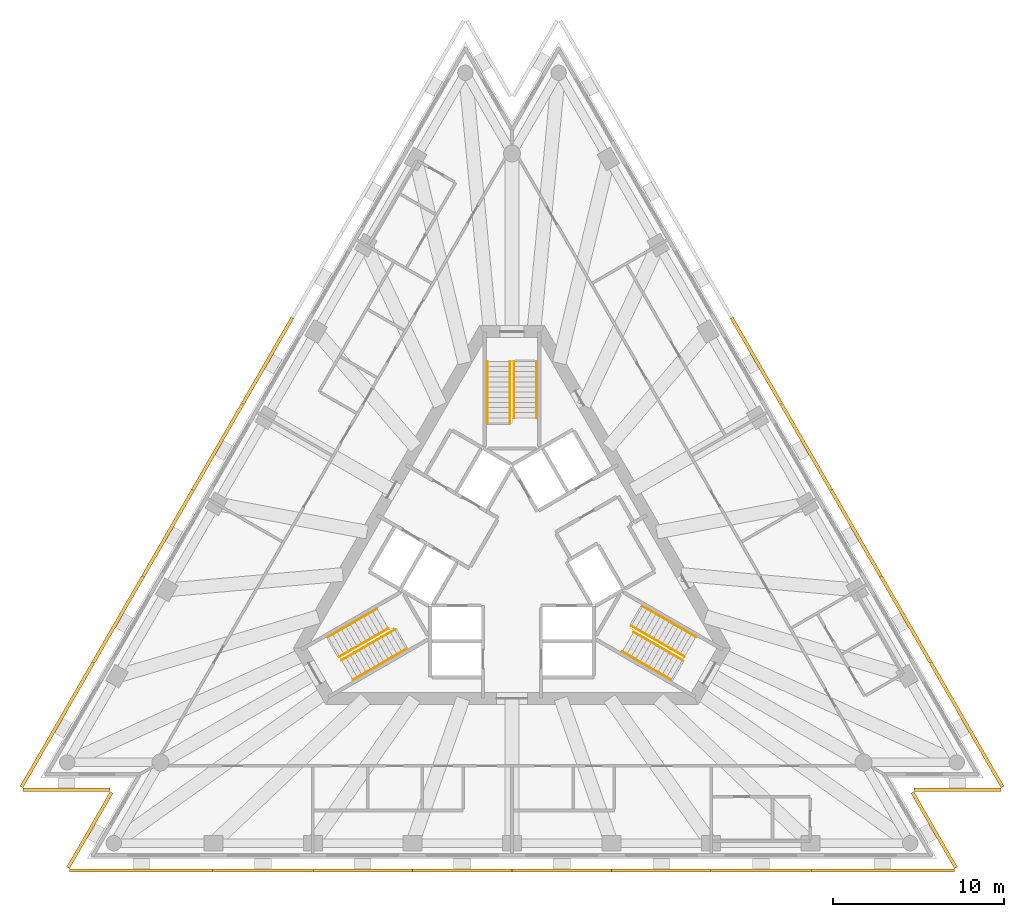
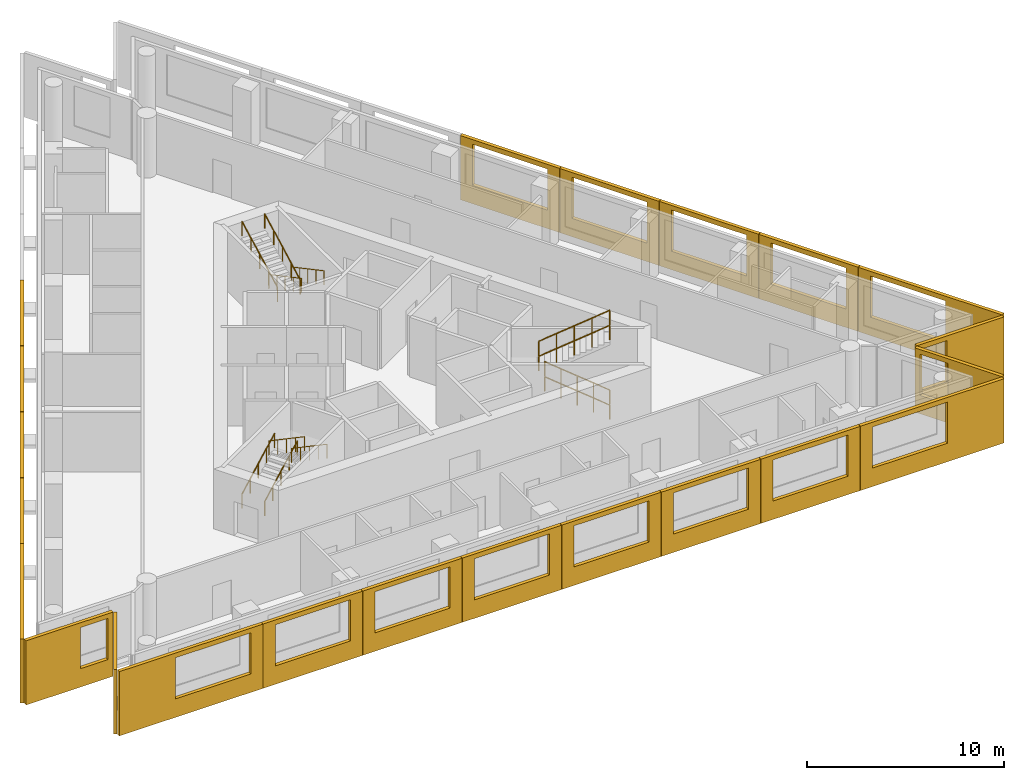
# One storey, part 9 of 10: 22 shading devices, 12 railings, 3 elements without a shape of their own.
"""IFC4 building model written with IfcOpenShell, lengths in metres."""

from ifc_helpers import new_model, si_unit, direction, frame, origin, origin_2d, place, context, subcontext, project, spatial, polyline, circle, outline, extrude, material, layer, layer_set, type_object, element, aggregate, save


model = new_model("IFC4")

# Units and contexts
model_context = context("Model", 3, precision=1e-05, world=origin(), true_north=direction((0.0, 1.0)))
body_context = subcontext(model_context, "Body", "Model", "MODEL_VIEW")
ifc_project = project(units=[si_unit("LENGTHUNIT", "METRE"), si_unit("AREAUNIT", "SQUARE_METRE"), si_unit("VOLUMEUNIT", "CUBIC_METRE"), si_unit("PLANEANGLEUNIT", "RADIAN"), si_unit("MASSUNIT", "GRAM", prefix="KILO")], contexts=[model_context])

# Site, building, storey
site_placement = place(None, origin())
site = spatial("IfcSite", under=ifc_project, at=site_placement, CompositionType="ELEMENT")
building_placement = place(site_placement, origin())
building = spatial("IfcBuilding", under=site, at=building_placement, Name="Triada Interchange Tower", CompositionType="ELEMENT")
storey_placement = place(building_placement, frame((0.0, 0.0, 243.300048828125)))
storey = spatial("IfcBuildingStorey", under=building, at=storey_placement, Name="L57", CompositionType="ELEMENT", Elevation=243.300048828125)

# Shading devices
ifc_material_1 = material(Name="Concrete C50/60 precast", Category="concrete")
ifc_layer_1 = layer(ifc_material_1, 0.02001953125, Name="Exposed aggregate face")
ifc_layer_2 = layer(ifc_material_1, 0.179931640625, Name="Precast concrete screen")
ifc_layer_set = layer_set([ifc_layer_1, ifc_layer_2], Name="Outer skin screen panel 3980")
shading_device_type = type_object("IfcShadingDeviceType", Name="Outer skin screen panel 3980", PredefinedType="SHUTTER", material=ifc_layer_set)
shading_device_1_placement = place(storey_placement, frame((-12.784912109375, 14.10498046875, -0.2900390625), z_axis=(0.0, 0.0, 1.0), x_axis=(-0.499956362902, -0.866050596209, 0.0)))
element("IfcShadingDevice", 1, at=shading_device_1_placement, inside=storey, type_object=shading_device_type, Name="Outer skin screen panel L57 04", PredefinedType="SHUTTER", context=body_context, shape_type="SweptSolid", body=[
    extrude(outline(polyline([(0.0, 0.0), (5.8125, 0.0), (5.8125, 3.97998046875), (0.0, 3.97998046875), (0.0, 0.0)]), holes=[polyline([(0.70654296875, 1.139892578125), (0.70654296875, 3.68994140625), (5.106689453125, 3.68994140625), (5.106689453125, 1.139892578125), (0.70654296875, 1.139892578125)])]), frame((0.0, 0.0, 0.0), z_axis=(0.0, -1.0, 0.0), x_axis=(1.0, 0.0, 0.0)), (0.0, 0.0, 1.0), 0.199951171875),
])
shading_device_2_placement = place(storey_placement, frame((-15.700927734375, 9.052978515625, -0.2900390625), z_axis=(0.0, 0.0, 1.0), x_axis=(-0.499956362902, -0.866050596209, 0.0)))
element("IfcShadingDevice", 2, at=shading_device_2_placement, inside=storey, type_object=shading_device_type, Name="Outer skin screen panel L57 05", PredefinedType="SHUTTER", context=body_context, shape_type="SweptSolid", body=[
    extrude(outline(polyline([(0.0, 0.0), (5.8125, 0.0), (5.8125, 3.97998046875), (0.0, 3.97998046875), (0.0, 0.0)]), holes=[polyline([(0.7060546875, 1.139892578125), (0.7060546875, 3.68994140625), (5.10595703125, 3.68994140625), (5.10595703125, 1.139892578125), (0.7060546875, 1.139892578125)])]), frame((0.0, 0.0, 0.0), z_axis=(0.0, -1.0, 0.0), x_axis=(1.0, 0.0, 0.0)), (0.0, 0.0, 1.0), 0.199951171875),
])
shading_device_3_placement = place(storey_placement, frame((-18.616943359375, 4.001953125, -0.2900390625), z_axis=(0.0, 0.0, 1.0), x_axis=(-0.500082362009, -0.865977846834, 0.0)))
element("IfcShadingDevice", 3, at=shading_device_3_placement, inside=storey, type_object=shading_device_type, Name="Outer skin screen panel L57 06", PredefinedType="SHUTTER", context=body_context, shape_type="SweptSolid", body=[
    extrude(outline(polyline([(0.0, 0.0), (5.81298828125, 0.0), (5.81298828125, 3.97998046875), (0.0, 3.97998046875), (0.0, 0.0)]), holes=[polyline([(0.706298828125, 1.139892578125), (0.706298828125, 3.68994140625), (5.106201171875, 3.68994140625), (5.106201171875, 1.139892578125), (0.706298828125, 1.139892578125)])]), frame((0.0, 0.0, 0.0), z_axis=(0.0, -1.0, 0.0), x_axis=(1.0, 0.0, 0.0)), (0.0, 0.0, 1.0), 0.199951171875),
])
shading_device_4_placement = place(storey_placement, frame((-21.533935546875, -1.049072265625, -0.2900390625), z_axis=(0.0, 0.0, 1.0), x_axis=(-0.499956362902, -0.866050596209, 0.0)))
element("IfcShadingDevice", 4, at=shading_device_4_placement, inside=storey, type_object=shading_device_type, Name="Outer skin screen panel L57 07", PredefinedType="SHUTTER", context=body_context, shape_type="SweptSolid", body=[
    extrude(outline(polyline([(0.0, 0.0), (5.8125, 0.0), (5.8125, 3.97998046875), (0.0, 3.97998046875), (0.0, 0.0)]), holes=[polyline([(0.706787109375, 1.139892578125), (0.706787109375, 3.68994140625), (5.106689453125, 3.68994140625), (5.106689453125, 1.139892578125), (0.706787109375, 1.139892578125)])]), frame((0.0, 0.0, 0.0), z_axis=(0.0, -1.0, 0.0), x_axis=(1.0, 0.0, 0.0)), (0.0, 0.0, 1.0), 0.199951171875),
])
shading_device_5_placement = place(storey_placement, frame((-24.449951171875, -6.10009765625, -0.2900390625), z_axis=(0.0, 0.0, 1.0), x_axis=(-0.499972889028, -0.866041055745, 0.0)))
element("IfcShadingDevice", 5, at=shading_device_5_placement, inside=storey, type_object=shading_device_type, Name="Outer skin screen panel L57 08", PredefinedType="SHUTTER", context=body_context, shape_type="SweptSolid", body=[
    extrude(outline(polyline([(0.0, 0.0), (8.41064453125, 0.0), (8.41064453125, 3.97998046875), (0.0, 3.97998046875), (0.0, 0.0)]), holes=[polyline([(0.7060546875, 1.139892578125), (0.7060546875, 3.68994140625), (5.106201171875, 3.68994140625), (5.106201171875, 1.139892578125), (0.7060546875, 1.139892578125)])]), frame((0.0, 0.0, 0.0), z_axis=(0.0, -1.0, 0.0), x_axis=(1.0, 0.0, 0.0)), (0.0, 0.0, 1.0), 0.199951171875),
])
shading_device_6_placement = place(storey_placement, frame((-28.64990234375, -13.39306640625, -0.2900390625), z_axis=(0.0, 0.0, 1.0), x_axis=(1.0, 0.0, 0.0)))
element("IfcShadingDevice", 6, at=shading_device_6_placement, inside=storey, type_object=shading_device_type, Name="Outer skin screen panel L57 09", PredefinedType="SHUTTER", context=body_context, shape_type="SweptSolid", body=[
    extrude(outline(polyline([(0.0, 0.0), (5.096923828125, 0.0), (5.096923828125, 3.97998046875), (0.0, 3.97998046875), (0.0, 0.0)]), holes=[polyline([(3.175048828125, 1.139892578125), (3.175048828125, 3.68994140625), (4.797119140625, 3.68994140625), (4.797119140625, 1.139892578125), (3.175048828125, 1.139892578125)])]), frame((0.0, 0.0, 0.0), z_axis=(0.0, -1.0, 0.0), x_axis=(1.0, 0.0, 0.0)), (0.0, 0.0, 1.0), 0.199951171875),
])
shading_device_7_placement = place(storey_placement, frame((-23.375, -13.701904296875, -0.2900390625), z_axis=(0.0, 0.0, 1.0), x_axis=(-0.500029339395, -0.866008464014, 0.0)))
element("IfcShadingDevice", 7, at=shading_device_7_placement, inside=storey, type_object=shading_device_type, Name="Outer skin screen panel L57 10", PredefinedType="SHUTTER", context=body_context, shape_type="SweptSolid", body=[
    extrude(outline(polyline([(0.0, 0.0), (5.095947265625, 0.0), (5.095947265625, 3.97998046875), (0.0, 3.97998046875), (0.0, 0.0)]), holes=[polyline([(0.300048828125, 1.139892578125), (0.300048828125, 3.68994140625), (1.7578125, 3.68994140625), (1.7578125, 1.139892578125), (0.300048828125, 1.139892578125)])]), frame((0.0, 0.0, 0.0), z_axis=(0.0, -1.0, 0.0), x_axis=(1.0, 0.0, 0.0)), (0.0, 0.0, 1.0), 0.199951171875),
])
shading_device_8_placement = place(storey_placement, frame((-25.91796875, -18.1240234375, -0.2900390625), z_axis=(0.0, 0.0, 1.0), x_axis=(1.0, 0.0, 0.0)))
element("IfcShadingDevice", 8, at=shading_device_8_placement, inside=storey, type_object=shading_device_type, Name="Outer skin screen panel L57 11", PredefinedType="SHUTTER", context=body_context, shape_type="SweptSolid", body=[
    extrude(outline(polyline([(0.0, 0.0), (8.409912109375, 0.0), (8.409912109375, 3.97998046875), (0.0, 3.97998046875), (0.0, 0.0)]), holes=[polyline([(3.303955078125, 1.139892578125), (3.303955078125, 3.68994140625), (7.7041015625, 3.68994140625), (7.7041015625, 1.139892578125), (3.303955078125, 1.139892578125)])]), frame((0.0, 0.0, 0.0), z_axis=(0.0, -1.0, 0.0), x_axis=(1.0, 0.0, 0.0)), (0.0, 0.0, 1.0), 0.199951171875),
])
shading_device_9_placement = place(storey_placement, frame((-17.487060546875, -18.1240234375, -0.2900390625), z_axis=(0.0, 0.0, 1.0), x_axis=(1.0, 0.0, 0.0)))
element("IfcShadingDevice", 9, at=shading_device_9_placement, inside=storey, type_object=shading_device_type, Name="Outer skin screen panel L57 12", PredefinedType="SHUTTER", context=body_context, shape_type="SweptSolid", body=[
    extrude(outline(polyline([(0.0, 0.0), (5.81201171875, 0.0), (5.81201171875, 3.97998046875), (0.0, 3.97998046875), (0.0, 0.0)]), holes=[polyline([(0.70654296875, 1.139892578125), (0.70654296875, 3.68994140625), (5.1064453125, 3.68994140625), (5.1064453125, 1.139892578125), (0.70654296875, 1.139892578125)])]), frame((0.0, 0.0, 0.0), z_axis=(0.0, -1.0, 0.0), x_axis=(1.0, 0.0, 0.0)), (0.0, 0.0, 1.0), 0.199951171875),
])
shading_device_10_placement = place(storey_placement, frame((-11.655029296875, -18.1240234375, -0.2900390625), z_axis=(0.0, 0.0, 1.0), x_axis=(1.0, 0.0, 0.0)))
element("IfcShadingDevice", 10, at=shading_device_10_placement, inside=storey, type_object=shading_device_type, Name="Outer skin screen panel L57 13", PredefinedType="SHUTTER", context=body_context, shape_type="SweptSolid", body=[
    extrude(outline(polyline([(0.0, 0.0), (5.81201171875, 0.0), (5.81201171875, 3.97998046875), (0.0, 3.97998046875), (0.0, 0.0)]), holes=[polyline([(0.7060546875, 1.139892578125), (0.7060546875, 3.68994140625), (5.10595703125, 3.68994140625), (5.10595703125, 1.139892578125), (0.7060546875, 1.139892578125)])]), frame((0.0, 0.0, 0.0), z_axis=(0.0, -1.0, 0.0), x_axis=(1.0, 0.0, 0.0)), (0.0, 0.0, 1.0), 0.199951171875),
])
shading_device_11_placement = place(storey_placement, frame((-5.822021484375, -18.1240234375, -0.2900390625), z_axis=(0.0, 0.0, 1.0), x_axis=(1.0, 0.0, 0.0)))
element("IfcShadingDevice", 11, at=shading_device_11_placement, inside=storey, type_object=shading_device_type, Name="Outer skin screen panel L57 14", PredefinedType="SHUTTER", context=body_context, shape_type="SweptSolid", body=[
    extrude(outline(polyline([(0.0, 0.0), (5.81201171875, 0.0), (5.81201171875, 3.97998046875), (0.0, 3.97998046875), (0.0, 0.0)]), holes=[polyline([(0.70654296875, 1.139892578125), (0.70654296875, 3.68994140625), (5.1064453125, 3.68994140625), (5.1064453125, 1.139892578125), (0.70654296875, 1.139892578125)])]), frame((0.0, 0.0, 0.0), z_axis=(0.0, -1.0, 0.0), x_axis=(1.0, 0.0, 0.0)), (0.0, 0.0, 1.0), 0.199951171875),
])
shading_device_12_placement = place(storey_placement, frame((0.010009765625, -18.1240234375, -0.2900390625), z_axis=(0.0, 0.0, 1.0), x_axis=(1.0, 0.0, 0.0)))
element("IfcShadingDevice", 12, at=shading_device_12_placement, inside=storey, type_object=shading_device_type, Name="Outer skin screen panel L57 15", PredefinedType="SHUTTER", context=body_context, shape_type="SweptSolid", body=[
    extrude(outline(polyline([(0.0, 0.0), (5.81201171875, 0.0), (5.81201171875, 3.97998046875), (0.0, 3.97998046875), (0.0, 0.0)]), holes=[polyline([(0.7060546875, 1.139892578125), (0.7060546875, 3.68994140625), (5.10595703125, 3.68994140625), (5.10595703125, 1.139892578125), (0.7060546875, 1.139892578125)])]), frame((0.0, 0.0, 0.0), z_axis=(0.0, -1.0, 0.0), x_axis=(1.0, 0.0, 0.0)), (0.0, 0.0, 1.0), 0.199951171875),
])
shading_device_13_placement = place(storey_placement, frame((5.843017578125, -18.1240234375, -0.2900390625), z_axis=(0.0, 0.0, 1.0), x_axis=(1.0, 0.0, 0.0)))
element("IfcShadingDevice", 13, at=shading_device_13_placement, inside=storey, type_object=shading_device_type, Name="Outer skin screen panel L57 16", PredefinedType="SHUTTER", context=body_context, shape_type="SweptSolid", body=[
    extrude(outline(polyline([(0.0, 0.0), (5.81201171875, 0.0), (5.81201171875, 3.97998046875), (0.0, 3.97998046875), (0.0, 0.0)]), holes=[polyline([(0.70654296875, 1.139892578125), (0.70654296875, 3.68994140625), (5.1064453125, 3.68994140625), (5.1064453125, 1.139892578125), (0.70654296875, 1.139892578125)])]), frame((0.0, 0.0, 0.0), z_axis=(0.0, -1.0, 0.0), x_axis=(1.0, 0.0, 0.0)), (0.0, 0.0, 1.0), 0.199951171875),
])
shading_device_14_placement = place(storey_placement, frame((11.675048828125, -18.1240234375, -0.2900390625), z_axis=(0.0, 0.0, 1.0), x_axis=(1.0, 0.0, 0.0)))
element("IfcShadingDevice", 14, at=shading_device_14_placement, inside=storey, type_object=shading_device_type, Name="Outer skin screen panel L57 17", PredefinedType="SHUTTER", context=body_context, shape_type="SweptSolid", body=[
    extrude(outline(polyline([(0.0, 0.0), (5.81298828125, 0.0), (5.81298828125, 3.97998046875), (0.0, 3.97998046875), (0.0, 0.0)]), holes=[polyline([(0.7060546875, 1.139892578125), (0.7060546875, 3.68994140625), (5.10595703125, 3.68994140625), (5.10595703125, 1.139892578125), (0.7060546875, 1.139892578125)])]), frame((0.0, 0.0, 0.0), z_axis=(0.0, -1.0, 0.0), x_axis=(1.0, 0.0, 0.0)), (0.0, 0.0, 1.0), 0.199951171875),
])
shading_device_15_placement = place(storey_placement, frame((17.507080078125, -18.1240234375, -0.2900390625), z_axis=(0.0, 0.0, 1.0), x_axis=(1.0, 0.0, 0.0)))
element("IfcShadingDevice", 15, at=shading_device_15_placement, inside=storey, type_object=shading_device_type, Name="Outer skin screen panel L57 18", PredefinedType="SHUTTER", context=body_context, shape_type="SweptSolid", body=[
    extrude(outline(polyline([(0.0, 0.0), (8.410888671875, 0.0), (8.410888671875, 3.97998046875), (0.0, 3.97998046875), (0.0, 0.0)]), holes=[polyline([(0.70654296875, 1.139892578125), (0.70654296875, 3.68994140625), (5.1064453125, 3.68994140625), (5.1064453125, 1.139892578125), (0.70654296875, 1.139892578125)])]), frame((0.0, 0.0, 0.0), z_axis=(0.0, -1.0, 0.0), x_axis=(1.0, 0.0, 0.0)), (0.0, 0.0, 1.0), 0.199951171875),
])
shading_device_16_placement = place(storey_placement, frame((25.923095703125, -18.114990234375, -0.2900390625), z_axis=(0.0, 0.0, 1.0), x_axis=(-0.500029339395, 0.866008464014, 0.0)))
element("IfcShadingDevice", 16, at=shading_device_16_placement, inside=storey, type_object=shading_device_type, Name="Outer skin screen panel L57 19", PredefinedType="SHUTTER", context=body_context, shape_type="SweptSolid", body=[
    extrude(outline(polyline([(0.0, 0.0), (5.095947265625, 0.0), (5.095947265625, 3.97998046875), (0.0, 3.97998046875), (0.0, 0.0)]), holes=[polyline([(3.17529296875, 1.139892578125), (3.17529296875, 3.68994140625), (4.79638671875, 3.68994140625), (4.79638671875, 1.139892578125), (3.17529296875, 1.139892578125)])]), frame((0.0, 0.0, 0.0), z_axis=(0.0, -1.0, 0.0), x_axis=(1.0, 0.0, 0.0)), (0.0, 0.0, 1.0), 0.199951171875),
])
shading_device_17_placement = place(storey_placement, frame((23.552978515625, -13.39306640625, -0.2900390625), z_axis=(0.0, 0.0, 1.0), x_axis=(1.0, 0.0, 0.0)))
element("IfcShadingDevice", 17, at=shading_device_17_placement, inside=storey, type_object=shading_device_type, Name="Outer skin screen panel L57 20", PredefinedType="SHUTTER", context=body_context, shape_type="SweptSolid", body=[
    extrude(outline(polyline([(0.0, 0.0), (5.096923828125, 0.0), (5.096923828125, 3.97998046875), (0.0, 3.97998046875), (0.0, 0.0)]), holes=[polyline([(0.300048828125, 1.139892578125), (0.300048828125, 3.68994140625), (1.758056640625, 3.68994140625), (1.758056640625, 1.139892578125), (0.300048828125, 1.139892578125)])]), frame((0.0, 0.0, 0.0), z_axis=(0.0, -1.0, 0.0), x_axis=(1.0, 0.0, 0.0)), (0.0, 0.0, 1.0), 0.199951171875),
])
shading_device_18_placement = place(storey_placement, frame((28.655029296875, -13.384033203125, -0.2900390625), z_axis=(0.0, 0.0, 1.0), x_axis=(-0.499972889028, 0.866041055745, 0.0)))
element("IfcShadingDevice", 18, at=shading_device_18_placement, inside=storey, type_object=shading_device_type, Name="Outer skin screen panel L57 21", PredefinedType="SHUTTER", context=body_context, shape_type="SweptSolid", body=[
    extrude(outline(polyline([(0.0, 0.0), (8.41064453125, 0.0), (8.41064453125, 3.97998046875), (0.0, 3.97998046875), (0.0, 0.0)]), holes=[polyline([(3.30419921875, 1.139892578125), (3.30419921875, 3.68994140625), (7.704345703125, 3.68994140625), (7.704345703125, 1.139892578125), (3.30419921875, 1.139892578125)])]), frame((0.0, 0.0, 0.0), z_axis=(0.0, -1.0, 0.0), x_axis=(1.0, 0.0, 0.0)), (0.0, 0.0, 1.0), 0.199951171875),
])
shading_device_19_placement = place(storey_placement, frame((24.43994140625, -6.0830078125, -0.2900390625), z_axis=(0.0, 0.0, 1.0), x_axis=(-0.499956362902, 0.866050596209, 0.0)))
element("IfcShadingDevice", 19, at=shading_device_19_placement, inside=storey, type_object=shading_device_type, Name="Outer skin screen panel L57 22", PredefinedType="SHUTTER", context=body_context, shape_type="SweptSolid", body=[
    extrude(outline(polyline([(0.0, 0.0), (5.8125, 0.0), (5.8125, 3.97998046875), (0.0, 3.97998046875), (0.0, 0.0)]), holes=[polyline([(0.70654296875, 1.139892578125), (0.70654296875, 3.68994140625), (5.106689453125, 3.68994140625), (5.106689453125, 1.139892578125), (0.70654296875, 1.139892578125)])]), frame((0.0, 0.0, 0.0), z_axis=(0.0, -1.0, 0.0), x_axis=(1.0, 0.0, 0.0)), (0.0, 0.0, 1.0), 0.199951171875),
])
shading_device_20_placement = place(storey_placement, frame((21.52392578125, -1.031982421875, -0.2900390625), z_axis=(0.0, 0.0, 1.0), x_axis=(-0.500082362009, 0.865977846834, 0.0)))
element("IfcShadingDevice", 20, at=shading_device_20_placement, inside=storey, type_object=shading_device_type, Name="Outer skin screen panel L57 23", PredefinedType="SHUTTER", context=body_context, shape_type="SweptSolid", body=[
    extrude(outline(polyline([(0.0, 0.0), (5.81298828125, 0.0), (5.81298828125, 3.97998046875), (0.0, 3.97998046875), (0.0, 0.0)]), holes=[polyline([(0.7060546875, 1.139892578125), (0.7060546875, 3.68994140625), (5.10595703125, 3.68994140625), (5.10595703125, 1.139892578125), (0.7060546875, 1.139892578125)])]), frame((0.0, 0.0, 0.0), z_axis=(0.0, -1.0, 0.0), x_axis=(1.0, 0.0, 0.0)), (0.0, 0.0, 1.0), 0.199951171875),
])
shading_device_21_placement = place(storey_placement, frame((18.60693359375, 4.01904296875, -0.2900390625), z_axis=(0.0, 0.0, 1.0), x_axis=(-0.499956362902, 0.866050596209, 0.0)))
element("IfcShadingDevice", 21, at=shading_device_21_placement, inside=storey, type_object=shading_device_type, Name="Outer skin screen panel L57 24", PredefinedType="SHUTTER", context=body_context, shape_type="SweptSolid", body=[
    extrude(outline(polyline([(0.0, 0.0), (5.8125, 0.0), (5.8125, 3.97998046875), (0.0, 3.97998046875), (0.0, 0.0)]), holes=[polyline([(0.706298828125, 1.139892578125), (0.706298828125, 3.68994140625), (5.106201171875, 3.68994140625), (5.106201171875, 1.139892578125), (0.706298828125, 1.139892578125)])]), frame((0.0, 0.0, 0.0), z_axis=(0.0, -1.0, 0.0), x_axis=(1.0, 0.0, 0.0)), (0.0, 0.0, 1.0), 0.199951171875),
])
shading_device_22_placement = place(storey_placement, frame((15.69091796875, 9.071044921875, -0.2900390625), z_axis=(0.0, 0.0, 1.0), x_axis=(-0.499956362902, 0.866050596209, 0.0)))
element("IfcShadingDevice", 22, at=shading_device_22_placement, inside=storey, type_object=shading_device_type, Name="Outer skin screen panel L57 25", PredefinedType="SHUTTER", context=body_context, shape_type="SweptSolid", body=[
    extrude(outline(polyline([(0.0, 0.0), (5.8125, 0.0), (5.8125, 3.97998046875), (0.0, 3.97998046875), (0.0, 0.0)]), holes=[polyline([(0.706787109375, 1.139892578125), (0.706787109375, 3.68994140625), (5.106689453125, 3.68994140625), (5.106689453125, 1.139892578125), (0.706787109375, 1.139892578125)])]), frame((0.0, 0.0, 0.0), z_axis=(0.0, -1.0, 0.0), x_axis=(1.0, 0.0, 0.0)), (0.0, 0.0, 1.0), 0.199951171875),
])

# Stair, railings
ifc_material_2 = material(Name="Concrete C35/45", Category="concrete")
stair_type = type_object("IfcStairType", Name="HALF TURN STAIR 1400", PredefinedType="HALF_TURN_STAIR", material=ifc_material_2)
stair_1_placement = place(storey_placement, origin())
stair_1 = element("IfcStair", 23, at=stair_1_placement, inside=storey, type_object=stair_type, Name="Exit stair S56-1", PredefinedType="HALF_TURN_STAIR")
ifc_material_3 = material(Name="Stainless steel 1.4301", Category="steel")
railing_type = type_object("IfcRailingType", Name="STAIR HANDRAIL 900", PredefinedType="HANDRAIL", material=ifc_material_3)
railing_1_placement = place(storey_placement, frame((1.449951171875, 11.60009765625, 0.159912109375)))
railing_1 = element("IfcRailing", 24, at=railing_1_placement, type_object=railing_type, Name="Handrail S56-1 1W", PredefinedType="HANDRAIL", context=body_context, shape_type="SweptSolid", body=[
    extrude(circle(Radius=0.02392578125, at=origin_2d()), frame((0.0, 0.0, 0.8759765625), z_axis=(0.0, -0.882354748157, 0.47058484719), x_axis=(1.0, 0.0, 0.0)), (0.0, 0.0, 1.0), 3.739990234375),
    extrude(circle(Radius=0.02099609375, at=origin_2d()), origin(), (0.0, 0.0, 1.0), 0.851806640625),
    extrude(circle(Radius=0.02099609375, at=origin_2d()), frame((0.0, -0.824951171875, 0.43994140625)), (0.0, 0.0, 1.0), 0.851806640625),
    extrude(circle(Radius=0.02099609375, at=origin_2d()), frame((0.0, -1.64990234375, 0.8798828125)), (0.0, 0.0, 1.0), 0.851806640625),
    extrude(circle(Radius=0.02099609375, at=origin_2d()), frame((0.0, -2.47509765625, 1.320068359375)), (0.0, 0.0, 1.0), 0.851806640625),
    extrude(circle(Radius=0.02099609375, at=origin_2d()), frame((0.0, -3.300048828125, 1.760009765625)), (0.0, 0.0, 1.0), 0.851806640625),
])
railing_2_placement = place(storey_placement, frame((0.1201171875, 11.60009765625, 0.159912109375)))
railing_2 = element("IfcRailing", 25, at=railing_2_placement, type_object=railing_type, Name="Handrail S56-1 1C", PredefinedType="HANDRAIL", context=body_context, shape_type="SweptSolid", body=[
    extrude(circle(Radius=0.02392578125, at=origin_2d()), frame((0.0, 0.0, 0.8759765625), z_axis=(0.0, -0.882354748157, 0.47058484719), x_axis=(1.0, 0.0, 0.0)), (0.0, 0.0, 1.0), 3.739990234375),
    extrude(circle(Radius=0.02099609375, at=origin_2d()), origin(), (0.0, 0.0, 1.0), 0.851806640625),
    extrude(circle(Radius=0.02099609375, at=origin_2d()), frame((0.0, -0.824951171875, 0.43994140625)), (0.0, 0.0, 1.0), 0.851806640625),
    extrude(circle(Radius=0.02099609375, at=origin_2d()), frame((0.0, -1.64990234375, 0.8798828125)), (0.0, 0.0, 1.0), 0.851806640625),
    extrude(circle(Radius=0.02099609375, at=origin_2d()), frame((0.0, -2.47509765625, 1.320068359375)), (0.0, 0.0, 1.0), 0.851806640625),
    extrude(circle(Radius=0.02099609375, at=origin_2d()), frame((0.0, -3.300048828125, 1.760009765625)), (0.0, 0.0, 1.0), 0.851806640625),
])
railing_3_placement = place(storey_placement, frame((-1.449951171875, 8.0, 2.079833984375)))
railing_3 = element("IfcRailing", 26, at=railing_3_placement, type_object=railing_type, Name="Handrail S56-1 2W", PredefinedType="HANDRAIL", context=body_context, shape_type="SweptSolid", body=[
    extrude(circle(Radius=0.02392578125, at=origin_2d()), frame((0.0, 0.0, 0.8759765625), z_axis=(0.0, 0.882341346394, 0.470609974867), x_axis=(-1.0, 0.0, 0.0)), (0.0, 0.0, 1.0), 4.080078125),
    extrude(circle(Radius=0.02099609375, at=origin_2d()), origin(), (0.0, 0.0, 1.0), 0.851806640625),
    extrude(circle(Radius=0.02099609375, at=origin_2d()), frame((0.0, 0.89990234375, 0.47998046875)), (0.0, 0.0, 1.0), 0.851806640625),
    extrude(circle(Radius=0.02099609375, at=origin_2d()), frame((0.0, 1.800048828125, 0.9599609375)), (0.0, 0.0, 1.0), 0.851806640625),
    extrude(circle(Radius=0.02099609375, at=origin_2d()), frame((0.0, 2.7001953125, 1.440185546875)), (0.0, 0.0, 1.0), 0.851806640625),
    extrude(circle(Radius=0.02099609375, at=origin_2d()), frame((0.0, 3.60009765625, 1.920166015625)), (0.0, 0.0, 1.0), 0.851806640625),
])
railing_4_placement = place(storey_placement, frame((-0.1201171875, 8.0, 2.079833984375)))
railing_4 = element("IfcRailing", 27, at=railing_4_placement, type_object=railing_type, Name="Handrail S56-1 2C", PredefinedType="HANDRAIL", context=body_context, shape_type="SweptSolid", body=[
    extrude(circle(Radius=0.02392578125, at=origin_2d()), frame((0.0, 0.0, 0.8759765625), z_axis=(0.0, 0.882341346394, 0.470609974867), x_axis=(-1.0, 0.0, 0.0)), (0.0, 0.0, 1.0), 4.080078125),
    extrude(circle(Radius=0.02099609375, at=origin_2d()), origin(), (0.0, 0.0, 1.0), 0.851806640625),
    extrude(circle(Radius=0.02099609375, at=origin_2d()), frame((0.0, 0.89990234375, 0.47998046875)), (0.0, 0.0, 1.0), 0.851806640625),
    extrude(circle(Radius=0.02099609375, at=origin_2d()), frame((0.0, 1.800048828125, 0.9599609375)), (0.0, 0.0, 1.0), 0.851806640625),
    extrude(circle(Radius=0.02099609375, at=origin_2d()), frame((0.0, 2.7001953125, 1.440185546875)), (0.0, 0.0, 1.0), 0.851806640625),
    extrude(circle(Radius=0.02099609375, at=origin_2d()), frame((0.0, 3.60009765625, 1.920166015625)), (0.0, 0.0, 1.0), 0.851806640625),
])
aggregate(stair_1, [railing_1, railing_2, railing_3, railing_4])

stair_2_placement = place(storey_placement, origin())
stair_2 = element("IfcStair", 28, at=stair_2_placement, inside=storey, type_object=stair_type, Name="Exit stair S56-2", PredefinedType="HALF_TURN_STAIR")
railing_5_placement = place(storey_placement, frame((-10.77099609375, -4.5439453125, 0.159912109375)))
railing_5 = element("IfcRailing", 29, at=railing_5_placement, type_object=railing_type, Name="Handrail S56-2 1W", PredefinedType="HANDRAIL", context=body_context, shape_type="SweptSolid", body=[
    extrude(circle(Radius=0.02392578125, at=origin_2d()), frame((0.0, 0.0, 0.8759765625), z_axis=(0.764150854273, 0.441152526326, 0.470593158077), x_axis=(-0.499974350878, 0.866040211805, 0.0)), (0.0, 0.0, 1.0), 3.739990234375),
    extrude(circle(Radius=0.02099609375, at=origin_2d()), origin(), (0.0, 0.0, 1.0), 0.851806640625),
    extrude(circle(Radius=0.02099609375, at=origin_2d()), frame((0.71435546875, 0.41259765625, 0.43994140625)), (0.0, 0.0, 1.0), 0.851806640625),
    extrude(circle(Radius=0.02099609375, at=origin_2d()), frame((1.428955078125, 0.824951171875, 0.8798828125)), (0.0, 0.0, 1.0), 0.851806640625),
    extrude(circle(Radius=0.02099609375, at=origin_2d()), frame((2.1435546875, 1.2373046875, 1.320068359375)), (0.0, 0.0, 1.0), 0.851806640625),
    extrude(circle(Radius=0.02099609375, at=origin_2d()), frame((2.85791015625, 1.64990234375, 1.760009765625)), (0.0, 0.0, 1.0), 0.851806640625),
])
railing_6_placement = place(storey_placement, frame((-10.10595703125, -5.696044921875, 0.159912109375)))
railing_6 = element("IfcRailing", 30, at=railing_6_placement, type_object=railing_type, Name="Handrail S56-2 1C", PredefinedType="HANDRAIL", context=body_context, shape_type="SweptSolid", body=[
    extrude(circle(Radius=0.02392578125, at=origin_2d()), frame((0.0, 0.0, 0.8759765625), z_axis=(0.76412884773, 0.441205098395, 0.470579605611), x_axis=(-0.50002983664, 0.866008176907, 0.0)), (0.0, 0.0, 1.0), 3.739990234375),
    extrude(circle(Radius=0.02099609375, at=origin_2d()), origin(), (0.0, 0.0, 1.0), 0.851806640625),
    extrude(circle(Radius=0.02099609375, at=origin_2d()), frame((0.71435546875, 0.41259765625, 0.43994140625)), (0.0, 0.0, 1.0), 0.851806640625),
    extrude(circle(Radius=0.02099609375, at=origin_2d()), frame((1.428955078125, 0.8251953125, 0.8798828125)), (0.0, 0.0, 1.0), 0.851806640625),
    extrude(circle(Radius=0.02099609375, at=origin_2d()), frame((2.1435546875, 1.237548828125, 1.320068359375)), (0.0, 0.0, 1.0), 0.851806640625),
    extrude(circle(Radius=0.02099609375, at=origin_2d()), frame((2.85791015625, 1.650146484375, 1.760009765625)), (0.0, 0.0, 1.0), 0.851806640625),
])
railing_7_placement = place(storey_placement, frame((-6.202880859375, -5.256103515625, 2.079833984375)))
railing_7 = element("IfcRailing", 31, at=railing_7_placement, type_object=railing_type, Name="Handrail S56-2 2W", PredefinedType="HANDRAIL", context=body_context, shape_type="SweptSolid", body=[
    extrude(circle(Radius=0.02392578125, at=origin_2d()), frame((0.0, 0.0, 0.8759765625), z_axis=(-0.764189758314, -0.441090424232, 0.470588196769), x_axis=(0.499902469156, -0.866081705922, 0.0)), (0.0, 0.0, 1.0), 4.080322265625),
    extrude(circle(Radius=0.02099609375, at=origin_2d()), origin(), (0.0, 0.0, 1.0), 0.851806640625),
    extrude(circle(Radius=0.02099609375, at=origin_2d()), frame((-0.779541015625, -0.449951171875, 0.47998046875)), (0.0, 0.0, 1.0), 0.851806640625),
    extrude(circle(Radius=0.02099609375, at=origin_2d()), frame((-1.55908203125, -0.89990234375, 0.9599609375)), (0.0, 0.0, 1.0), 0.851806640625),
    extrude(circle(Radius=0.02099609375, at=origin_2d()), frame((-2.338623046875, -1.349853515625, 1.440185546875)), (0.0, 0.0, 1.0), 0.851806640625),
    extrude(circle(Radius=0.02099609375, at=origin_2d()), frame((-3.1181640625, -1.7998046875, 1.920166015625)), (0.0, 0.0, 1.0), 0.851806640625),
])
railing_8_placement = place(storey_placement, frame((-6.867919921875, -4.10400390625, 2.079833984375)))
railing_8 = element("IfcRailing", 32, at=railing_8_placement, type_object=railing_type, Name="Handrail S56-2 2C", PredefinedType="HANDRAIL", context=body_context, shape_type="SweptSolid", body=[
    extrude(circle(Radius=0.02392578125, at=origin_2d()), frame((0.0, 0.0, 0.8759765625), z_axis=(-0.764169589359, -0.441138614339, 0.470575776723), x_axis=(0.49995333141, -0.866052346231, 0.0)), (0.0, 0.0, 1.0), 4.08056640625),
    extrude(circle(Radius=0.02099609375, at=origin_2d()), origin(), (0.0, 0.0, 1.0), 0.851806640625),
    extrude(circle(Radius=0.02099609375, at=origin_2d()), frame((-0.779541015625, -0.449951171875, 0.47998046875)), (0.0, 0.0, 1.0), 0.851806640625),
    extrude(circle(Radius=0.02099609375, at=origin_2d()), frame((-1.55908203125, -0.89990234375, 0.9599609375)), (0.0, 0.0, 1.0), 0.851806640625),
    extrude(circle(Radius=0.02099609375, at=origin_2d()), frame((-2.338623046875, -1.35009765625, 1.440185546875)), (0.0, 0.0, 1.0), 0.851806640625),
    extrude(circle(Radius=0.02099609375, at=origin_2d()), frame((-3.1181640625, -1.800048828125, 1.920166015625)), (0.0, 0.0, 1.0), 0.851806640625),
])
aggregate(stair_2, [railing_5, railing_6, railing_7, railing_8])

stair_3_placement = place(storey_placement, origin())
stair_3 = element("IfcStair", 33, at=stair_3_placement, inside=storey, type_object=stair_type, Name="Exit stair S56-3", PredefinedType="HALF_TURN_STAIR")
railing_9_placement = place(storey_placement, frame((9.321044921875, -7.055908203125, 0.159912109375)))
railing_9 = element("IfcRailing", 34, at=railing_9_placement, type_object=railing_type, Name="Handrail S56-3 1W", PredefinedType="HANDRAIL", context=body_context, shape_type="SweptSolid", body=[
    extrude(circle(Radius=0.02392578125, at=origin_2d()), frame((0.0, 0.0, 0.8759765625), z_axis=(-0.764178012919, 0.441130521168, 0.470569684388), x_axis=(-0.499942318283, -0.866058703778, 0.0)), (0.0, 0.0, 1.0), 3.740234375),
    extrude(circle(Radius=0.02099609375, at=origin_2d()), origin(), (0.0, 0.0, 1.0), 0.851806640625),
    extrude(circle(Radius=0.02099609375, at=origin_2d()), frame((-0.714599609375, 0.41259765625, 0.43994140625)), (0.0, 0.0, 1.0), 0.851806640625),
    extrude(circle(Radius=0.02099609375, at=origin_2d()), frame((-1.42919921875, 0.824951171875, 0.8798828125)), (0.0, 0.0, 1.0), 0.851806640625),
    extrude(circle(Radius=0.02099609375, at=origin_2d()), frame((-2.1435546875, 1.2373046875, 1.320068359375)), (0.0, 0.0, 1.0), 0.851806640625),
    extrude(circle(Radius=0.02099609375, at=origin_2d()), frame((-2.858154296875, 1.64990234375, 1.760009765625)), (0.0, 0.0, 1.0), 0.851806640625),
])
railing_10_placement = place(storey_placement, frame((9.986083984375, -5.904052734375, 0.159912109375)))
railing_10 = element("IfcRailing", 35, at=railing_10_placement, type_object=railing_type, Name="Handrail S56-3 1C", PredefinedType="HANDRAIL", context=body_context, shape_type="SweptSolid", body=[
    extrude(circle(Radius=0.02392578125, at=origin_2d()), frame((0.0, 0.0, 0.8759765625), z_axis=(-0.764156007789, 0.441183091881, 0.47055613395), x_axis=(-0.49999780286, -0.8660266723, 0.0)), (0.0, 0.0, 1.0), 3.740234375),
    extrude(circle(Radius=0.02099609375, at=origin_2d()), origin(), (0.0, 0.0, 1.0), 0.851806640625),
    extrude(circle(Radius=0.02099609375, at=origin_2d()), frame((-0.714599609375, 0.41259765625, 0.43994140625)), (0.0, 0.0, 1.0), 0.851806640625),
    extrude(circle(Radius=0.02099609375, at=origin_2d()), frame((-1.42919921875, 0.8251953125, 0.8798828125)), (0.0, 0.0, 1.0), 0.851806640625),
    extrude(circle(Radius=0.02099609375, at=origin_2d()), frame((-2.1435546875, 1.237548828125, 1.320068359375)), (0.0, 0.0, 1.0), 0.851806640625),
    extrude(circle(Radius=0.02099609375, at=origin_2d()), frame((-2.858154296875, 1.650146484375, 1.760009765625)), (0.0, 0.0, 1.0), 0.851806640625),
])
railing_11_placement = place(storey_placement, frame((7.653076171875, -2.743896484375, 2.079833984375)))
railing_11 = element("IfcRailing", 36, at=railing_11_placement, type_object=railing_type, Name="Handrail S56-3 2W", PredefinedType="HANDRAIL", context=body_context, shape_type="SweptSolid", body=[
    extrude(circle(Radius=0.02392578125, at=origin_2d()), frame((0.0, 0.0, 0.8759765625), z_axis=(0.76414469501, -0.441158784458, 0.470597292793), x_axis=(0.499982693035, 0.866035395735, 0.0)), (0.0, 0.0, 1.0), 4.080322265625),
    extrude(circle(Radius=0.02099609375, at=origin_2d()), origin(), (0.0, 0.0, 1.0), 0.851806640625),
    extrude(circle(Radius=0.02099609375, at=origin_2d()), frame((0.779541015625, -0.449951171875, 0.47998046875)), (0.0, 0.0, 1.0), 0.851806640625),
    extrude(circle(Radius=0.02099609375, at=origin_2d()), frame((1.55908203125, -0.89990234375, 0.9599609375)), (0.0, 0.0, 1.0), 0.851806640625),
    extrude(circle(Radius=0.02099609375, at=origin_2d()), frame((2.33837890625, -1.35009765625, 1.440185546875)), (0.0, 0.0, 1.0), 0.851806640625),
    extrude(circle(Radius=0.02099609375, at=origin_2d()), frame((3.117919921875, -1.800048828125, 1.920166015625)), (0.0, 0.0, 1.0), 0.851806640625),
])
railing_12_placement = place(storey_placement, frame((6.988037109375, -3.89599609375, 2.079833984375)))
railing_12 = element("IfcRailing", 37, at=railing_12_placement, type_object=railing_type, Name="Handrail S56-3 2C", PredefinedType="HANDRAIL", context=body_context, shape_type="SweptSolid", body=[
    extrude(circle(Radius=0.02392578125, at=origin_2d()), frame((0.0, 0.0, 0.8759765625), z_axis=(0.76414469501, -0.441158784458, 0.470597292793), x_axis=(0.499982693035, 0.866035395735, 0.0)), (0.0, 0.0, 1.0), 4.080322265625),
    extrude(circle(Radius=0.02099609375, at=origin_2d()), origin(), (0.0, 0.0, 1.0), 0.851806640625),
    extrude(circle(Radius=0.02099609375, at=origin_2d()), frame((0.779541015625, -0.449951171875, 0.47998046875)), (0.0, 0.0, 1.0), 0.851806640625),
    extrude(circle(Radius=0.02099609375, at=origin_2d()), frame((1.55908203125, -0.89990234375, 0.9599609375)), (0.0, 0.0, 1.0), 0.851806640625),
    extrude(circle(Radius=0.02099609375, at=origin_2d()), frame((2.33837890625, -1.35009765625, 1.440185546875)), (0.0, 0.0, 1.0), 0.851806640625),
    extrude(circle(Radius=0.02099609375, at=origin_2d()), frame((3.117919921875, -1.800048828125, 1.920166015625)), (0.0, 0.0, 1.0), 0.851806640625),
])
aggregate(stair_3, [railing_9, railing_10, railing_11, railing_12])

save(model, "model.ifc")
